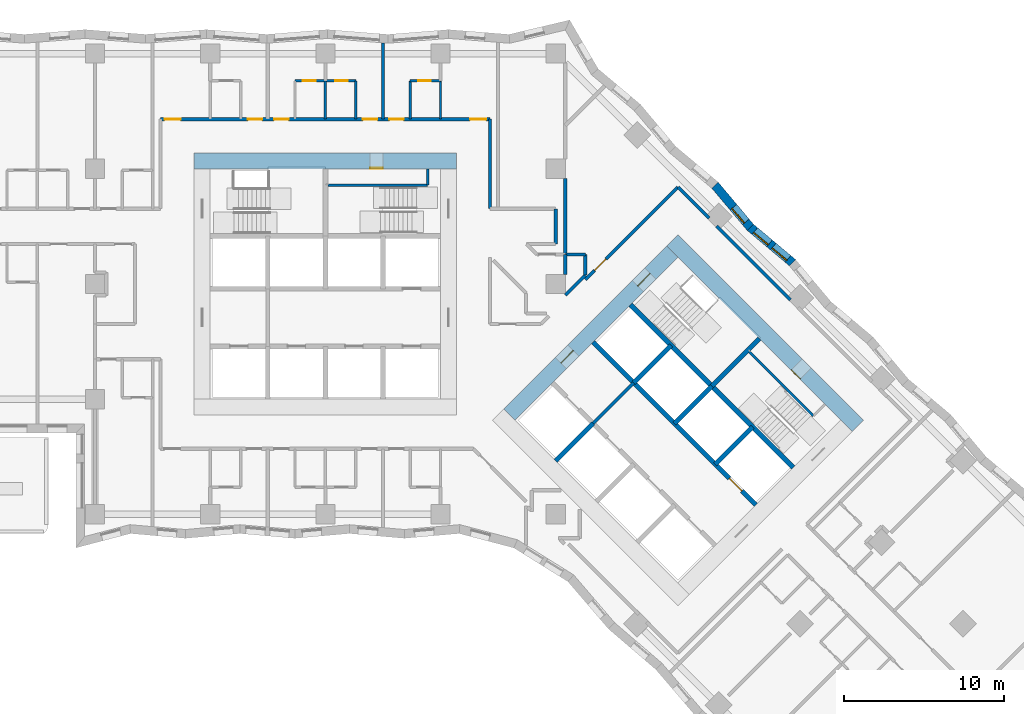
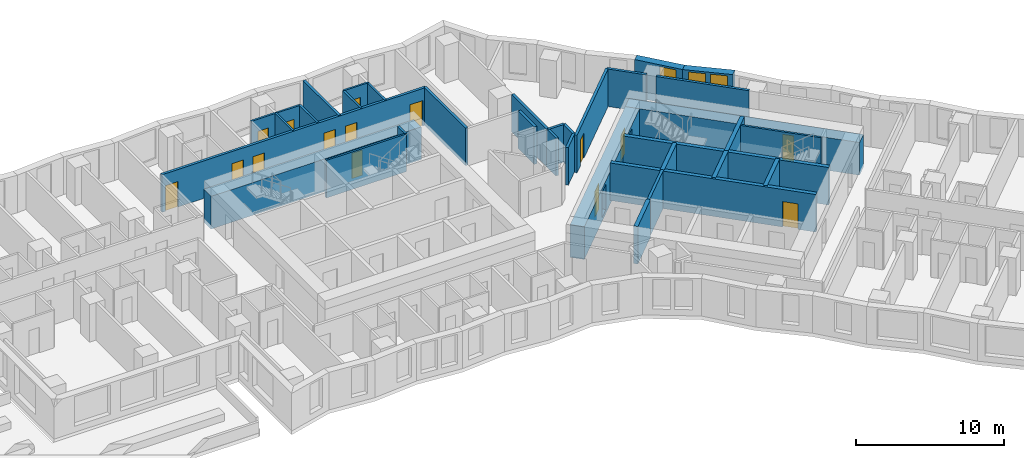
# One storey, part 11 of 15: 35 walls, 15 doors, 3 windows, 18 openings.
"""IFC4 building model written with IfcOpenShell, lengths in metres."""

from ifc_helpers import new_model, si_unit, direction, frame, frame_2d, origin, place, context, subcontext, project, spatial, polyline, rectangle, outline, extrude, material, layer, layer_set, type_object, element, fill, save


model = new_model("IFC4")

# Units and contexts
model_context = context("Model", 3, precision=1e-05, world=origin(), true_north=direction((0.0, 1.0)))
body_context = subcontext(model_context, "Body", "Model", "MODEL_VIEW")
ifc_project = project(units=[si_unit("LENGTHUNIT", "METRE"), si_unit("AREAUNIT", "SQUARE_METRE"), si_unit("VOLUMEUNIT", "CUBIC_METRE"), si_unit("PLANEANGLEUNIT", "RADIAN"), si_unit("MASSUNIT", "GRAM", prefix="KILO")], contexts=[model_context])

# Site, building, storey
site_placement = place(None, origin())
site = spatial("IfcSite", under=ifc_project, at=site_placement, CompositionType="ELEMENT")
building_placement = place(site_placement, origin())
building = spatial("IfcBuilding", under=site, at=building_placement, Name="Windrow Commons", CompositionType="ELEMENT")
storey_placement = place(building_placement, frame((0.0, 0.0, 27.0)))
storey = spatial("IfcBuildingStorey", under=building, at=storey_placement, Name="L06", CompositionType="ELEMENT", Elevation=27.0)

# Wall, openings, windows
ifc_material_1 = material(Name="Brick masonry, red clay brick", Category="masonry")
ifc_layer_1 = layer(ifc_material_1, 0.55)
ifc_layer_set_1 = layer_set([ifc_layer_1], Name="Brick facade wall 550")
wall_type_1 = type_object("IfcWallType", Name="Brick facade wall 550", PredefinedType="SOLIDWALL", material=ifc_layer_set_1)
wall_1_placement = place(storey_placement, frame((94.0, 58.931, 0.0), z_axis=(0.0, 0.0, 1.0), x_axis=(-0.7660429609, 0.6427893761, 0.0)))
wall_1 = element("IfcWall", 1, at=wall_1_placement, inside=storey, type_object=wall_type_1, Name="Brick facade wall L06 17", PredefinedType="SOLIDWALL", context=body_context, shape_type="SweptSolid", body=[
    extrude(outline(polyline([(-0.0241, -0.275), (3.4184, -0.275), (3.4665, 0.275), (0.0241, 0.275), (-0.0241, -0.275)])), origin(), (0.0, 0.0, 1.0), 3.1),
])
opening_1_placement = place(wall_1_placement, frame((0.3685, 0.0, 0.5)))
opening_1 = element("IfcOpeningElement", 2, at=opening_1_placement, cuts=wall_1, Name="Opening W7D", PredefinedType="OPENING", context=body_context, shape_type="SweptSolid", body=[
    extrude(rectangle(XDim=1.2, YDim=2.45, at=frame_2d((0.6, 1.225))), frame((0.0, 0.285, 0.0), z_axis=(0.0, -1.0, 0.0), x_axis=(1.0, 0.0, 0.0)), (0.0, 0.0, 1.0), 0.57),
])
opening_2_placement = place(wall_1_placement, frame((1.8777, 0.0, 0.5)))
opening_2 = element("IfcOpeningElement", 3, at=opening_2_placement, cuts=wall_1, Name="Opening W7D", PredefinedType="OPENING", context=body_context, shape_type="SweptSolid", body=[
    extrude(rectangle(XDim=1.2, YDim=2.45, at=frame_2d((0.6, 1.225))), frame((0.0, 0.285, 0.0), z_axis=(0.0, -1.0, 0.0), x_axis=(1.0, 0.0, 0.0)), (0.0, 0.0, 1.0), 0.57),
])
ifc_material_2 = material(Name="Clear float glass in anodised aluminium frame", Category="aluminium")
window_type = type_object("IfcWindowType", Name="Window W7 notch 1200x2450", PartitioningType="SINGLE_PANEL", PredefinedType="WINDOW", material=ifc_material_2)
window_1_placement = place(opening_1_placement, origin())
window_1 = element("IfcWindow", 4, at=window_1_placement, inside=storey, type_object=window_type, Name="Window L06 17.1", OverallHeight=2.45, OverallWidth=1.2, PartitioningType="SINGLE_PANEL", PredefinedType="WINDOW", context=body_context, shape_type="SweptSolid", body=[
    extrude(rectangle(XDim=1.2, YDim=2.45, at=frame_2d((0.6, 1.225))), frame((0.0, 0.155, 0.0), z_axis=(0.0, -1.0, 0.0), x_axis=(1.0, 0.0, 0.0)), (0.0, 0.0, 1.0), 0.06),
])
fill(opening_1, window_1)
window_2_placement = place(opening_2_placement, origin())
window_2 = element("IfcWindow", 5, at=window_2_placement, inside=storey, type_object=window_type, Name="Window L06 17.2", OverallHeight=2.45, OverallWidth=1.2, PartitioningType="SINGLE_PANEL", PredefinedType="WINDOW", context=body_context, shape_type="SweptSolid", body=[
    extrude(rectangle(XDim=1.2, YDim=2.45, at=frame_2d((0.6, 1.225))), frame((0.0, 0.155, 0.0), z_axis=(0.0, -1.0, 0.0), x_axis=(1.0, 0.0, 0.0)), (0.0, 0.0, 1.0), 0.06),
])
fill(opening_2, window_2)

# Wall, opening, window
wall_2_placement = place(storey_placement, frame((91.3629, 61.1438, 0.0), z_axis=(0.0, 0.0, 1.0), x_axis=(-0.6428036801, 0.7660309582, 0.0)))
wall_2 = element("IfcWall", 6, at=wall_2_placement, inside=storey, type_object=wall_type_1, Name="Brick facade wall L06 18", PredefinedType="SOLIDWALL", context=body_context, shape_type="SweptSolid", body=[
    extrude(outline(polyline([(0.0241, -0.275), (3.4665, -0.275), (3.4184, 0.275), (-0.0241, 0.275), (0.0241, -0.275)])), origin(), (0.0, 0.0, 1.0), 3.1),
])
opening_3_placement = place(wall_2_placement, frame((0.4421, 0.0, 0.5)))
opening_3 = element("IfcOpeningElement", 7, at=opening_3_placement, cuts=wall_2, Name="Opening W7D", PredefinedType="OPENING", context=body_context, shape_type="SweptSolid", body=[
    extrude(rectangle(XDim=1.2, YDim=2.45, at=frame_2d((0.6, 1.225))), frame((0.0, 0.285, 0.0), z_axis=(0.0, -1.0, 0.0), x_axis=(1.0, 0.0, 0.0)), (0.0, 0.0, 1.0), 0.57),
])
window_3_placement = place(opening_3_placement, origin())
window_3 = element("IfcWindow", 8, at=window_3_placement, inside=storey, type_object=window_type, Name="Window L06 18.1", OverallHeight=2.45, OverallWidth=1.2, PartitioningType="SINGLE_PANEL", PredefinedType="WINDOW", context=body_context, shape_type="SweptSolid", body=[
    extrude(rectangle(XDim=1.2, YDim=2.45, at=frame_2d((0.6, 1.225))), frame((0.0, 0.155, 0.0), z_axis=(0.0, -1.0, 0.0), x_axis=(1.0, 0.0, 0.0)), (0.0, 0.0, 1.0), 0.06),
])
fill(opening_3, window_3)

# Wall
ifc_material_3 = material(Name="Blockwork partition", Category="masonry")
ifc_layer_2 = layer(ifc_material_3, 0.2)
ifc_layer_set_2 = layer_set([ifc_layer_2], Name="Fire lobby partition 200")
wall_type_2 = type_object("IfcWallType", Name="Fire lobby partition 200", PredefinedType="PARTITIONING", material=ifc_layer_set_2)
wall_3_placement = place(storey_placement, frame((81.5335, 48.8776, 0.0), z_axis=(0.0, 0.0, 1.0), x_axis=(0.707092892, 0.7071206701, 0.0)))
element("IfcWall", 9, at=wall_3_placement, inside=storey, type_object=wall_type_2, Name="W-core-lobby-B-L06", PredefinedType="PARTITIONING", context=body_context, shape_type="SweptSolid", body=[
    extrude(rectangle(XDim=3.6, YDim=0.2, at=frame_2d((1.8, 0.0))), origin(), (0.0, 0.0, 1.0), 3.1),
])

# Wall, openings, doors
ifc_material_4 = material(Name="Blockwork partition", Category="masonry")
ifc_layer_3 = layer(ifc_material_4, 0.2)
ifc_layer_set_3 = layer_set([ifc_layer_3], Name="IW-CORRIDOR-200")
wall_type_3 = type_object("IfcWallType", Name="IW-CORRIDOR-200", PredefinedType="PARTITIONING", material=ifc_layer_set_3)
wall_4_placement = place(storey_placement, frame((54.5, 67.9, 0.0), z_axis=(0.0, 0.0, 1.0), x_axis=(1.0, 0.0, 0.0)))
wall_4 = element("IfcWall", 10, at=wall_4_placement, inside=storey, type_object=wall_type_3, Name="W-L06-W002", PredefinedType="PARTITIONING", context=body_context, shape_type="SweptSolid", body=[
    extrude(rectangle(XDim=20.6, YDim=0.2, at=frame_2d((10.3, 0.0))), origin(), (0.0, 0.0, 1.0), 3.1),
])
opening_4_placement = place(wall_4_placement, frame((0.2548, 0.0, 0.0)))
opening_4 = element("IfcOpeningElement", 11, at=opening_4_placement, cuts=wall_4, Name="Opening D310F", PredefinedType="OPENING", context=body_context, shape_type="SweptSolid", body=[
    extrude(rectangle(XDim=1.0, YDim=2.1, at=frame_2d((0.5, 1.05))), frame((0.0, 0.11, 0.0), z_axis=(0.0, -1.0, 0.0), x_axis=(1.0, 0.0, 0.0)), (0.0, 0.0, 1.0), 0.22),
])
opening_5_placement = place(wall_4_placement, frame((19.3452, 0.0, 0.0)))
opening_5 = element("IfcOpeningElement", 12, at=opening_5_placement, cuts=wall_4, Name="Opening D310F", PredefinedType="OPENING", context=body_context, shape_type="SweptSolid", body=[
    extrude(rectangle(XDim=1.0, YDim=2.1, at=frame_2d((0.5, 1.05))), frame((0.0, 0.11, 0.0), z_axis=(0.0, -1.0, 0.0), x_axis=(1.0, 0.0, 0.0)), (0.0, 0.0, 1.0), 0.22),
])
opening_6_placement = place(wall_4_placement, frame((5.45, 0.0, 0.0)))
opening_6 = element("IfcOpeningElement", 13, at=opening_6_placement, cuts=wall_4, Name="Opening D109S", PredefinedType="OPENING", context=body_context, shape_type="SweptSolid", body=[
    extrude(rectangle(XDim=0.9, YDim=2.1, at=frame_2d((0.45, 1.05))), frame((0.0, 0.11, 0.0), z_axis=(0.0, -1.0, 0.0), x_axis=(1.0, 0.0, 0.0)), (0.0, 0.0, 1.0), 0.22),
])
opening_7_placement = place(wall_4_placement, frame((7.1, 0.0, 0.0)))
opening_7 = element("IfcOpeningElement", 14, at=opening_7_placement, cuts=wall_4, Name="Opening D109S", PredefinedType="OPENING", context=body_context, shape_type="SweptSolid", body=[
    extrude(rectangle(XDim=0.9, YDim=2.1, at=frame_2d((0.45, 1.05))), frame((0.0, 0.11, 0.0), z_axis=(0.0, -1.0, 0.0), x_axis=(1.0, 0.0, 0.0)), (0.0, 0.0, 1.0), 0.22),
])
opening_8_placement = place(wall_4_placement, frame((12.65, 0.0, 0.0)))
opening_8 = element("IfcOpeningElement", 15, at=opening_8_placement, cuts=wall_4, Name="Opening D109S", PredefinedType="OPENING", context=body_context, shape_type="SweptSolid", body=[
    extrude(rectangle(XDim=0.9, YDim=2.1, at=frame_2d((0.45, 1.05))), frame((0.0, 0.11, 0.0), z_axis=(0.0, -1.0, 0.0), x_axis=(1.0, 0.0, 0.0)), (0.0, 0.0, 1.0), 0.22),
])
opening_9_placement = place(wall_4_placement, frame((14.3, 0.0, 0.0)))
opening_9 = element("IfcOpeningElement", 16, at=opening_9_placement, cuts=wall_4, Name="Opening D109S", PredefinedType="OPENING", context=body_context, shape_type="SweptSolid", body=[
    extrude(rectangle(XDim=0.9, YDim=2.1, at=frame_2d((0.45, 1.05))), frame((0.0, 0.11, 0.0), z_axis=(0.0, -1.0, 0.0), x_axis=(1.0, 0.0, 0.0)), (0.0, 0.0, 1.0), 0.22),
])
ifc_material_5 = material(Name="Timber door leaf", Category="wood")
door_type_1 = type_object("IfcDoorType", Name="DT-AMENITY-1000", OperationType="SINGLE_SWING_LEFT", PredefinedType="DOOR", material=ifc_material_5)
door_1_placement = place(opening_4_placement, origin())
door_1 = element("IfcDoor", 17, at=door_1_placement, inside=storey, type_object=door_type_1, Name="D-L06-D024", OperationType="SINGLE_SWING_LEFT", OverallHeight=2.1, OverallWidth=1.0, PredefinedType="DOOR", context=body_context, shape_type="SweptSolid", body=[
    extrude(rectangle(XDim=1.0, YDim=2.1, at=frame_2d((0.5, 1.05))), frame((0.0, 0.025, 0.0), z_axis=(0.0, -1.0, 0.0), x_axis=(1.0, 0.0, 0.0)), (0.0, 0.0, 1.0), 0.05),
])
fill(opening_4, door_1)
door_2_placement = place(opening_5_placement, origin())
door_2 = element("IfcDoor", 18, at=door_2_placement, inside=storey, type_object=door_type_1, Name="D-L06-D025", OperationType="SINGLE_SWING_RIGHT", OverallHeight=2.1, OverallWidth=1.0, PredefinedType="DOOR", context=body_context, shape_type="SweptSolid", body=[
    extrude(rectangle(XDim=1.0, YDim=2.1, at=frame_2d((0.5, 1.05))), frame((0.0, 0.025, 0.0), z_axis=(0.0, -1.0, 0.0), x_axis=(1.0, 0.0, 0.0)), (0.0, 0.0, 1.0), 0.05),
])
fill(opening_5, door_2)
ifc_material_6 = material(Name="Timber door leaf", Category="wood")
door_type_2 = type_object("IfcDoorType", Name="DT-BEDROOM-900", OperationType="SINGLE_SWING_LEFT", PredefinedType="DOOR", material=ifc_material_6)
door_3_placement = place(opening_6_placement, origin())
door_3 = element("IfcDoor", 19, at=door_3_placement, inside=storey, type_object=door_type_2, Name="D-L06-D031", OperationType="SINGLE_SWING_RIGHT", OverallHeight=2.1, OverallWidth=0.9, PredefinedType="DOOR", context=body_context, shape_type="SweptSolid", body=[
    extrude(rectangle(XDim=0.9, YDim=2.1, at=frame_2d((0.45, 1.05))), frame((0.0, 0.025, 0.0), z_axis=(0.0, -1.0, 0.0), x_axis=(1.0, 0.0, 0.0)), (0.0, 0.0, 1.0), 0.05),
])
fill(opening_6, door_3)
door_4_placement = place(opening_7_placement, origin())
door_4 = element("IfcDoor", 20, at=door_4_placement, inside=storey, type_object=door_type_2, Name="D-L06-D033", OperationType="SINGLE_SWING_LEFT", OverallHeight=2.1, OverallWidth=0.9, PredefinedType="DOOR", context=body_context, shape_type="SweptSolid", body=[
    extrude(rectangle(XDim=0.9, YDim=2.1, at=frame_2d((0.45, 1.05))), frame((0.0, 0.025, 0.0), z_axis=(0.0, -1.0, 0.0), x_axis=(1.0, 0.0, 0.0)), (0.0, 0.0, 1.0), 0.05),
])
fill(opening_7, door_4)
door_5_placement = place(opening_8_placement, origin())
door_5 = element("IfcDoor", 21, at=door_5_placement, inside=storey, type_object=door_type_2, Name="D-L06-D035", OperationType="SINGLE_SWING_RIGHT", OverallHeight=2.1, OverallWidth=0.9, PredefinedType="DOOR", context=body_context, shape_type="SweptSolid", body=[
    extrude(rectangle(XDim=0.9, YDim=2.1, at=frame_2d((0.45, 1.05))), frame((0.0, 0.025, 0.0), z_axis=(0.0, -1.0, 0.0), x_axis=(1.0, 0.0, 0.0)), (0.0, 0.0, 1.0), 0.05),
])
fill(opening_8, door_5)
door_6_placement = place(opening_9_placement, origin())
door_6 = element("IfcDoor", 22, at=door_6_placement, inside=storey, type_object=door_type_2, Name="D-L06-D037", OperationType="SINGLE_SWING_LEFT", OverallHeight=2.1, OverallWidth=0.9, PredefinedType="DOOR", context=body_context, shape_type="SweptSolid", body=[
    extrude(rectangle(XDim=0.9, YDim=2.1, at=frame_2d((0.45, 1.05))), frame((0.0, 0.025, 0.0), z_axis=(0.0, -1.0, 0.0), x_axis=(1.0, 0.0, 0.0)), (0.0, 0.0, 1.0), 0.05),
])
fill(opening_9, door_6)

# Wall, opening, door
wall_5_placement = place(storey_placement, frame((81.0515, 57.8725, 0.0), z_axis=(0.0, 0.0, 1.0), x_axis=(0.7071067812, 0.7071067812, 0.0)))
wall_5 = element("IfcWall", 23, at=wall_5_placement, inside=storey, type_object=wall_type_3, Name="W-L06-W012", PredefinedType="PARTITIONING", context=body_context, shape_type="SweptSolid", body=[
    extrude(rectangle(XDim=8.1798, YDim=0.2, at=frame_2d((4.0899, 0.0))), origin(), (0.0, 0.0, 1.0), 3.1),
])
opening_10_placement = place(wall_5_placement, frame((0.8234, 0.0, 0.0)))
opening_10 = element("IfcOpeningElement", 24, at=opening_10_placement, cuts=wall_5, Name="Opening D310F", PredefinedType="OPENING", context=body_context, shape_type="SweptSolid", body=[
    extrude(rectangle(XDim=1.0, YDim=2.1, at=frame_2d((0.5, 1.05))), frame((0.0, 0.11, 0.0), z_axis=(0.0, -1.0, 0.0), x_axis=(1.0, 0.0, 0.0)), (0.0, 0.0, 1.0), 0.22),
])
door_7_placement = place(opening_10_placement, origin())
door_7 = element("IfcDoor", 25, at=door_7_placement, inside=storey, type_object=door_type_1, Name="D-L06-D049", OperationType="SINGLE_SWING_RIGHT", OverallHeight=2.1, OverallWidth=1.0, PredefinedType="DOOR", context=body_context, shape_type="SweptSolid", body=[
    extrude(rectangle(XDim=1.0, YDim=2.1, at=frame_2d((0.5, 1.05))), frame((0.0, 0.025, 0.0), z_axis=(0.0, -1.0, 0.0), x_axis=(1.0, 0.0, 0.0)), (0.0, 0.0, 1.0), 0.05),
])
fill(opening_10, door_7)

# Walls
wall_6_placement = place(storey_placement, frame((89.2712, 61.2152, 0.0), z_axis=(0.0, 0.0, 1.0), x_axis=(0.7071067812, -0.7071067812, 0.0)))
element("IfcWall", 26, at=wall_6_placement, inside=storey, type_object=wall_type_3, Name="W-L06-W025", PredefinedType="PARTITIONING", context=body_context, shape_type="SweptSolid", body=[
    extrude(rectangle(XDim=6.5054, YDim=0.2, at=frame_2d((3.2527, 0.0))), origin(), (0.0, 0.0, 1.0), 3.1),
])
wall_7_placement = place(storey_placement, frame((75.1, 62.302, 0.0), z_axis=(0.0, 0.0, 1.0), x_axis=(0.0, 1.0, 0.0)))
element("IfcWall", 27, at=wall_7_placement, inside=storey, type_object=wall_type_3, Name="W-L06-W040", PredefinedType="PARTITIONING", context=body_context, shape_type="SweptSolid", body=[
    extrude(rectangle(XDim=5.598, YDim=0.2, at=frame_2d((2.799, 0.0))), origin(), (0.0, 0.0, 1.0), 3.1),
])
wall_8_placement = place(storey_placement, frame((86.8413, 63.6593, 0.0), z_axis=(0.0, 0.0, 1.0), x_axis=(0.7067795096, -0.7074339014, 0.0)))
element("IfcWall", 28, at=wall_8_placement, inside=storey, type_object=wall_type_3, Name="W-L06-W072", PredefinedType="PARTITIONING", context=body_context, shape_type="SweptSolid", body=[
    extrude(rectangle(XDim=2.7506, YDim=0.2, at=frame_2d((1.3753, 0.0))), origin(), (0.0, 0.0, 1.0), 3.1),
])
wall_9_placement = place(storey_placement, frame((79.2, 60.102, 0.0), z_axis=(0.0, 0.0, 1.0), x_axis=(0.0, 1.0, 0.0)))
element("IfcWall", 29, at=wall_9_placement, inside=storey, type_object=wall_type_3, Name="W-L06-W130", PredefinedType="PARTITIONING", context=body_context, shape_type="SweptSolid", body=[
    extrude(rectangle(XDim=2.198, YDim=0.2, at=frame_2d((1.099, 0.0))), origin(), (0.0, 0.0, 1.0), 3.1),
])
wall_10_placement = place(storey_placement, frame((79.8011, 56.9049, 0.0), z_axis=(0.0, 0.0, 1.0), x_axis=(0.7071067812, 0.7071067812, 0.0)))
element("IfcWall", 30, at=wall_10_placement, inside=storey, type_object=wall_type_3, Name="W-L06-W163", PredefinedType="PARTITIONING", context=body_context, shape_type="SweptSolid", body=[
    extrude(rectangle(XDim=1.7649, YDim=0.2, at=frame_2d((0.8824, 0.0))), origin(), (0.0, 0.0, 1.0), 3.1),
])
wall_11_placement = place(storey_placement, frame((79.8, 58.2, 0.0), z_axis=(0.0, 0.0, 1.0), x_axis=(0.0, 1.0, 0.0)))
element("IfcWall", 31, at=wall_11_placement, inside=storey, type_object=wall_type_3, Name="W-L06-W179", PredefinedType="PARTITIONING", context=body_context, shape_type="SweptSolid", body=[
    extrude(rectangle(XDim=1.25, YDim=0.2, at=frame_2d((0.625, 0.0))), origin(), (0.0, 0.0, 1.0), 3.1),
])

# Wall, openings, doors
ifc_material_7 = material(Name="Blockwork partition", Category="masonry")
ifc_layer_4 = layer(ifc_material_7, 0.15)
ifc_layer_set_4 = layer_set([ifc_layer_4], Name="IW-ENSUITE-150")
wall_type_4 = type_object("IfcWallType", Name="IW-ENSUITE-150", PredefinedType="PARTITIONING", material=ifc_layer_set_4)
wall_12_placement = place(storey_placement, frame((62.9, 70.3, 0.0), z_axis=(0.0, 0.0, 1.0), x_axis=(1.0, 0.0, 0.0)))
wall_12 = element("IfcWall", 32, at=wall_12_placement, inside=storey, type_object=wall_type_4, Name="W-L06-W062", PredefinedType="PARTITIONING", context=body_context, shape_type="SweptSolid", body=[
    extrude(rectangle(XDim=3.8, YDim=0.15, at=frame_2d((1.9, 0.0))), origin(), (0.0, 0.0, 1.0), 3.1),
])
opening_11_placement = place(wall_12_placement, frame((0.4931, 0.0, 0.0)))
opening_11 = element("IfcOpeningElement", 33, at=opening_11_placement, cuts=wall_12, Name="Opening D208N", PredefinedType="OPENING", context=body_context, shape_type="SweptSolid", body=[
    extrude(rectangle(XDim=0.8, YDim=2.1, at=frame_2d((0.4, 1.05))), frame((0.0, 0.085, 0.0), z_axis=(0.0, -1.0, 0.0), x_axis=(1.0, 0.0, 0.0)), (0.0, 0.0, 1.0), 0.17),
])
opening_12_placement = place(wall_12_placement, frame((2.5069, 0.0, 0.0)))
opening_12 = element("IfcOpeningElement", 34, at=opening_12_placement, cuts=wall_12, Name="Opening D208N", PredefinedType="OPENING", context=body_context, shape_type="SweptSolid", body=[
    extrude(rectangle(XDim=0.8, YDim=2.1, at=frame_2d((0.4, 1.05))), frame((0.0, 0.085, 0.0), z_axis=(0.0, -1.0, 0.0), x_axis=(1.0, 0.0, 0.0)), (0.0, 0.0, 1.0), 0.17),
])
ifc_material_8 = material(Name="Timber door leaf", Category="wood")
door_type_3 = type_object("IfcDoorType", Name="DT-ENSUITE-800", OperationType="SINGLE_SWING_LEFT", PredefinedType="DOOR", material=ifc_material_8)
door_8_placement = place(opening_11_placement, origin())
door_8 = element("IfcDoor", 35, at=door_8_placement, inside=storey, type_object=door_type_3, Name="D-L06-D034", OperationType="SINGLE_SWING_RIGHT", OverallHeight=2.1, OverallWidth=0.8, PredefinedType="DOOR", context=body_context, shape_type="SweptSolid", body=[
    extrude(rectangle(XDim=0.8, YDim=2.1, at=frame_2d((0.4, 1.05))), frame((0.0, 0.025, 0.0), z_axis=(0.0, -1.0, 0.0), x_axis=(1.0, 0.0, 0.0)), (0.0, 0.0, 1.0), 0.05),
])
fill(opening_11, door_8)
door_9_placement = place(opening_12_placement, origin())
door_9 = element("IfcDoor", 36, at=door_9_placement, inside=storey, type_object=door_type_3, Name="D-L06-D036", OperationType="SINGLE_SWING_RIGHT", OverallHeight=2.1, OverallWidth=0.8, PredefinedType="DOOR", context=body_context, shape_type="SweptSolid", body=[
    extrude(rectangle(XDim=0.8, YDim=2.1, at=frame_2d((0.4, 1.05))), frame((0.0, 0.025, 0.0), z_axis=(0.0, -1.0, 0.0), x_axis=(1.0, 0.0, 0.0)), (0.0, 0.0, 1.0), 0.05),
])
fill(opening_12, door_9)

# Walls
for number, where, z_axis, x_axis, name in (
    (37, (66.7, 67.9, 0.0), (0.0, 0.0, 1.0), (0.0, 1.0, 0.0), "W-L06-W111"),
    (38, (64.8, 67.9, 0.0), (0.0, 0.0, 1.0), (0.0, 1.0, 0.0), "W-L06-W112"),
    (39, (70.1, 67.9, 0.0), (0.0, 0.0, 1.0), (0.0, 1.0, 0.0), "W-L06-W113"),
    (40, (72.0, 67.9, 0.0), (0.0, 0.0, 1.0), (0.0, 1.0, 0.0), "W-L06-W114"),
):
    element("IfcWall", number, at=place(storey_placement, frame(where, z_axis=z_axis, x_axis=x_axis)), inside=storey, type_object=wall_type_4, Name=name, PredefinedType="PARTITIONING", context=body_context, shape_type="SweptSolid", body=[
        extrude(rectangle(XDim=2.4, YDim=0.15, at=frame_2d((1.2, 0.0))), origin(), (0.0, 0.0, 1.0), 3.1),
    ])

# Wall, opening, door
wall_13_placement = place(storey_placement, frame((70.1, 70.3, 0.0), z_axis=(0.0, 0.0, 1.0), x_axis=(1.0, 0.0, 0.0)))
wall_13 = element("IfcWall", 41, at=wall_13_placement, inside=storey, type_object=wall_type_4, Name="W-L06-W144", PredefinedType="PARTITIONING", context=body_context, shape_type="SweptSolid", body=[
    extrude(rectangle(XDim=1.9, YDim=0.15, at=frame_2d((0.95, 0.0))), origin(), (0.0, 0.0, 1.0), 3.1),
])
opening_13_placement = place(wall_13_placement, frame((0.4931, 0.0, 0.0)))
opening_13 = element("IfcOpeningElement", 42, at=opening_13_placement, cuts=wall_13, Name="Opening D208N", PredefinedType="OPENING", context=body_context, shape_type="SweptSolid", body=[
    extrude(rectangle(XDim=0.8, YDim=2.1, at=frame_2d((0.4, 1.05))), frame((0.0, 0.085, 0.0), z_axis=(0.0, -1.0, 0.0), x_axis=(1.0, 0.0, 0.0)), (0.0, 0.0, 1.0), 0.17),
])
door_10_placement = place(opening_13_placement, origin())
door_10 = element("IfcDoor", 43, at=door_10_placement, inside=storey, type_object=door_type_3, Name="D-L06-D038", OperationType="SINGLE_SWING_RIGHT", OverallHeight=2.1, OverallWidth=0.8, PredefinedType="DOOR", context=body_context, shape_type="SweptSolid", body=[
    extrude(rectangle(XDim=0.8, YDim=2.1, at=frame_2d((0.4, 1.05))), frame((0.0, 0.025, 0.0), z_axis=(0.0, -1.0, 0.0), x_axis=(1.0, 0.0, 0.0)), (0.0, 0.0, 1.0), 0.05),
])
fill(opening_13, door_10)

# Walls
ifc_material_9 = material(Name="Blockwork partition", Category="masonry")
ifc_layer_5 = layer(ifc_material_9, 0.2)
ifc_layer_set_5 = layer_set([ifc_layer_5], Name="IW-PARTY-200")
wall_type_5 = type_object("IfcWallType", Name="IW-PARTY-200", PredefinedType="PARTITIONING", material=ifc_layer_set_5)
wall_14_placement = place(storey_placement, frame((79.8, 59.45, 0.0), z_axis=(0.0, 0.0, 1.0), x_axis=(0.0, 1.0, 0.0)))
element("IfcWall", 44, at=wall_14_placement, inside=storey, type_object=wall_type_5, Name="W-L06-W052", PredefinedType="PARTITIONING", context=body_context, shape_type="SweptSolid", body=[
    extrude(rectangle(XDim=4.75, YDim=0.2, at=frame_2d((2.375, 0.0))), origin(), (0.0, 0.0, 1.0), 3.1),
])
wall_15_placement = place(storey_placement, frame((68.4, 67.9, 0.0), z_axis=(0.0, 0.0, 1.0), x_axis=(0.0, 1.0, 0.0)))
element("IfcWall", 45, at=wall_15_placement, inside=storey, type_object=wall_type_5, Name="W-L06-W053", PredefinedType="PARTITIONING", context=body_context, shape_type="SweptSolid", body=[
    extrude(rectangle(XDim=4.7731, YDim=0.2, at=frame_2d((2.3866, 0.0))), origin(), (0.0, 0.0, 1.0), 3.1),
])
wall_16_placement = place(storey_placement, frame((81.05, 58.152, 0.0), z_axis=(0.0, 0.0, 1.0), x_axis=(0.0, 1.0, 0.0)))
element("IfcWall", 46, at=wall_16_placement, inside=storey, type_object=wall_type_5, Name="W-L06-W176", PredefinedType="PARTITIONING", context=body_context, shape_type="SweptSolid", body=[
    extrude(rectangle(XDim=1.296, YDim=0.2, at=frame_2d((0.648, 0.0))), origin(), (0.0, 0.0, 1.0), 3.1),
])
wall_17_placement = place(storey_placement, frame((79.8, 59.45, 0.0), z_axis=(0.0, 0.0, 1.0), x_axis=(1.0, 0.0, 0.0)))
element("IfcWall", 47, at=wall_17_placement, inside=storey, type_object=wall_type_5, Name="W-L06-W180", PredefinedType="PARTITIONING", context=body_context, shape_type="SweptSolid", body=[
    extrude(rectangle(XDim=1.248, YDim=0.2, at=frame_2d((0.624, 0.0))), origin(), (0.0, 0.0, 1.0), 3.1),
])

# Wall, opening, door
ifc_material_10 = material(Name="Concrete C60/75", Category="concrete")
ifc_layer_6 = layer(ifc_material_10, 1.0)
ifc_layer_set_6 = layer_set([ifc_layer_6], Name="RC CORE WALL 1000 C60/75")
wall_type_6 = type_object("IfcWallType", Name="RC CORE WALL 1000 C60/75", PredefinedType="SHEAR", material=ifc_layer_set_6)
wall_18_placement = place(storey_placement, frame((56.6, 65.3, -0.3), z_axis=(0.0, 0.0, 1.0), x_axis=(1.0, 0.0, 0.0)))
wall_18 = element("IfcWall", 48, at=wall_18_placement, inside=storey, type_object=wall_type_6, Name="Core A wall outer-N", PredefinedType="SHEAR", context=body_context, shape_type="SweptSolid", body=[
    extrude(rectangle(XDim=16.4, YDim=1.0, at=frame_2d((8.2, 0.0))), origin(), (0.0, 0.0, 1.0), 2.7),
])
opening_14_placement = place(wall_18_placement, frame((11.0, 0.0, 0.3)))
opening_14 = element("IfcOpeningElement", 49, at=opening_14_placement, cuts=wall_18, Name="Opening D9", PredefinedType="OPENING", context=body_context, shape_type="SweptSolid", body=[
    extrude(rectangle(XDim=0.8, YDim=2.1, at=frame_2d((0.4, 1.05))), frame((0.0, 0.51, 0.0), z_axis=(0.0, -1.0, 0.0), x_axis=(1.0, 0.0, 0.0)), (0.0, 0.0, 1.0), 1.02),
])
ifc_material_11 = material(Name="Steel fire door leaf", Category="steel")
door_type_4 = type_object("IfcDoorType", Name="Riser access door 800", OperationType="SINGLE_SWING_LEFT", PredefinedType="DOOR", material=ifc_material_11)
door_11_placement = place(opening_14_placement, origin())
door_11 = element("IfcDoor", 50, at=door_11_placement, inside=storey, type_object=door_type_4, Name="Riser access door", OperationType="SINGLE_SWING_RIGHT", OverallHeight=2.1, OverallWidth=0.8, PredefinedType="DOOR", context=body_context, shape_type="SweptSolid", body=[
    extrude(rectangle(XDim=0.8, YDim=2.1, at=frame_2d((0.4, 1.05))), frame((0.0, -0.44, 0.0), z_axis=(0.0, -1.0, 0.0), x_axis=(1.0, 0.0, 0.0)), (0.0, 0.0, 1.0), 0.05),
])
fill(opening_14, door_11)

wall_19_placement = place(storey_placement, frame((86.4832, 60.3327, -0.3), z_axis=(0.0, 0.0, 1.0), x_axis=(0.70710983, -0.7071037324, 0.0)))
wall_19 = element("IfcWall", 51, at=wall_19_placement, inside=storey, type_object=wall_type_6, Name="Core B wall outer-N", PredefinedType="SHEAR", context=body_context, shape_type="SweptSolid", body=[
    extrude(rectangle(XDim=16.4, YDim=1.0, at=frame_2d((8.2, 0.0))), origin(), (0.0, 0.0, 1.0), 2.7),
])
opening_15_placement = place(wall_19_placement, frame((11.0, 0.0, 0.3)))
opening_15 = element("IfcOpeningElement", 52, at=opening_15_placement, cuts=wall_19, Name="Opening D9", PredefinedType="OPENING", context=body_context, shape_type="SweptSolid", body=[
    extrude(rectangle(XDim=0.8, YDim=2.1, at=frame_2d((0.4, 1.05))), frame((0.0, 0.51, 0.0), z_axis=(0.0, -1.0, 0.0), x_axis=(1.0, 0.0, 0.0)), (0.0, 0.0, 1.0), 1.02),
])
door_12_placement = place(opening_15_placement, origin())
door_12 = element("IfcDoor", 53, at=door_12_placement, inside=storey, type_object=door_type_4, Name="Riser access door", OperationType="SINGLE_SWING_RIGHT", OverallHeight=2.1, OverallWidth=0.8, PredefinedType="DOOR", context=body_context, shape_type="SweptSolid", body=[
    extrude(rectangle(XDim=0.8, YDim=2.1, at=frame_2d((0.4, 1.05))), frame((0.0, -0.44, 0.0), z_axis=(0.0, -1.0, 0.0), x_axis=(1.0, 0.0, 0.0)), (0.0, 0.0, 1.0), 0.05),
])
fill(opening_15, door_12)

# Wall, openings, doors
wall_20_placement = place(storey_placement, frame((76.3009, 49.4433, -0.3), z_axis=(0.0, 0.0, 1.0), x_axis=(0.7071067812, 0.7071067812, 0.0)))
wall_20 = element("IfcWall", 54, at=wall_20_placement, inside=storey, type_object=wall_type_6, Name="Core B wall outer-W", PredefinedType="SHEAR", context=body_context, shape_type="SweptSolid", body=[
    extrude(rectangle(XDim=14.3999, YDim=1.0, at=frame_2d((7.2, 0.0))), origin(), (0.0, 0.0, 1.0), 2.7),
])
opening_16_placement = place(wall_20_placement, frame((4.55, 0.0, 0.3)))
opening_16 = element("IfcOpeningElement", 55, at=opening_16_placement, cuts=wall_20, Name="Opening D6", PredefinedType="OPENING", context=body_context, shape_type="SweptSolid", body=[
    extrude(rectangle(XDim=1.1, YDim=2.1, at=frame_2d((0.55, 1.05))), frame((0.0, 0.51, 0.0), z_axis=(0.0, -1.0, 0.0), x_axis=(1.0, 0.0, 0.0)), (0.0, 0.0, 1.0), 1.02),
])
opening_17_placement = place(wall_20_placement, frame((11.35, 0.0, 0.3)))
opening_17 = element("IfcOpeningElement", 56, at=opening_17_placement, cuts=wall_20, Name="Opening D7", PredefinedType="OPENING", context=body_context, shape_type="SweptSolid", body=[
    extrude(rectangle(XDim=1.1, YDim=2.1, at=frame_2d((0.55, 1.05))), frame((0.0, 0.51, 0.0), z_axis=(0.0, -1.0, 0.0), x_axis=(1.0, 0.0, 0.0)), (0.0, 0.0, 1.0), 1.02),
])
ifc_material_12 = material(Name="Steel fire door leaf", Category="steel")
door_type_5 = type_object("IfcDoorType", Name="Core lobby door 1100", OperationType="SINGLE_SWING_LEFT", PredefinedType="DOOR", material=ifc_material_12)
door_13_placement = place(opening_16_placement, origin())
door_13 = element("IfcDoor", 57, at=door_13_placement, inside=storey, type_object=door_type_5, Name="Lift lobby door", OperationType="DOUBLE_DOOR_SINGLE_SWING", OverallHeight=2.1, OverallWidth=1.1, PredefinedType="DOOR", context=body_context, shape_type="SweptSolid", body=[
    extrude(rectangle(XDim=1.1, YDim=2.1, at=frame_2d((0.55, 1.05))), frame((0.0, 0.025, 0.0), z_axis=(0.0, -1.0, 0.0), x_axis=(1.0, 0.0, 0.0)), (0.0, 0.0, 1.0), 0.05),
])
fill(opening_16, door_13)
ifc_material_13 = material(Name="Steel fire door leaf", Category="steel")
door_type_6 = type_object("IfcDoorType", Name="Stair door 1100", OperationType="SINGLE_SWING_LEFT", PredefinedType="DOOR", material=ifc_material_13)
door_14_placement = place(opening_17_placement, origin())
door_14 = element("IfcDoor", 58, at=door_14_placement, inside=storey, type_object=door_type_6, Name="Stair door", OperationType="SINGLE_SWING_LEFT", OverallHeight=2.1, OverallWidth=1.1, PredefinedType="DOOR", context=body_context, shape_type="SweptSolid", body=[
    extrude(rectangle(XDim=1.1, YDim=2.1, at=frame_2d((0.55, 1.05))), frame((0.0, 0.025, 0.0), z_axis=(0.0, -1.0, 0.0), x_axis=(1.0, 0.0, 0.0)), (0.0, 0.0, 1.0), 0.05),
])
fill(opening_17, door_14)

# Walls
ifc_material_14 = material(Name="Concrete C60/75", Category="concrete")
ifc_layer_7 = layer(ifc_material_14, 0.3)
ifc_layer_set_7 = layer_set([ifc_layer_7], Name="RC SHAFT WALL 300 C60/75")
wall_type_7 = type_object("IfcWallType", Name="RC SHAFT WALL 300 C60/75", PredefinedType="SOLIDWALL", material=ifc_layer_set_7)
for number, where, z_axis, x_axis, name in (
    (59, (79.2, 46.5442, 0.0), (0.0, 0.0, 1.0), (0.7071219326, 0.7070916295, 0.0), "Core B wall shaft-S1"),
    (60, (84.079, 51.4232, 0.0), (0.0, 0.0, 1.0), (0.7071219326, 0.7070916295, 0.0), "Core B wall shaft-N1"),
):
    element("IfcWall", number, at=place(storey_placement, frame(where, z_axis=z_axis, x_axis=x_axis)), inside=storey, type_object=wall_type_7, Name=name, PredefinedType="SOLIDWALL", context=body_context, shape_type="SweptSolid", body=[
        extrude(rectangle(XDim=3.3, YDim=0.3, at=frame_2d((1.65, 0.0))), origin(), (0.0, 0.0, 1.0), 3.1),
    ])
for number, where, z_axis, x_axis, name in (
    (61, (86.6246, 48.8776, 0.0), (0.0, 0.0, 1.0), (0.7071067812, 0.7071067812, 0.0), "Core B wall shaft-N2"),
    (62, (89.1702, 46.332, 0.0), (0.0, 0.0, 1.0), (0.7071067812, 0.7071067812, 0.0), "Core B wall shaft-N3"),
):
    element("IfcWall", number, at=place(storey_placement, frame(where, z_axis=z_axis, x_axis=x_axis)), inside=storey, type_object=wall_type_7, Name=name, PredefinedType="SOLIDWALL", context=body_context, shape_type="SweptSolid", body=[
        extrude(rectangle(XDim=3.3001, YDim=0.3, at=frame_2d((1.6501, 0.0))), origin(), (0.0, 0.0, 1.0), 3.1),
    ])

# Wall, opening, door
wall_21_placement = place(storey_placement, frame((81.5335, 53.9688, 0.0), z_axis=(0.0, 0.0, 1.0), x_axis=(0.707103309, -0.7071102534, 0.0)))
wall_21 = element("IfcWall", 63, at=wall_21_placement, inside=storey, type_object=wall_type_7, Name="Core B wall lobby-N", PredefinedType="SOLIDWALL", context=body_context, shape_type="SweptSolid", body=[
    extrude(rectangle(XDim=14.4, YDim=0.3, at=frame_2d((7.2, 0.0))), origin(), (0.0, 0.0, 1.0), 3.1),
])
opening_18_placement = place(wall_21_placement, frame((12.05, 0.0, 0.0)))
opening_18 = element("IfcOpeningElement", 64, at=opening_18_placement, cuts=wall_21, Name="Opening LD", PredefinedType="OPENING", context=body_context, shape_type="SweptSolid", body=[
    extrude(rectangle(XDim=1.1, YDim=2.1, at=frame_2d((0.55, 1.05))), frame((0.0, 0.16, 0.0), z_axis=(0.0, -1.0, 0.0), x_axis=(1.0, 0.0, 0.0)), (0.0, 0.0, 1.0), 0.32),
])
ifc_material_15 = material(Name="Stainless steel door leaf", Category="steel")
door_type_7 = type_object("IfcDoorType", Name="Lift landing door 1100", OperationType="SLIDING_TO_LEFT", PredefinedType="DOOR", material=ifc_material_15)
door_15_placement = place(opening_18_placement, origin())
door_15 = element("IfcDoor", 65, at=door_15_placement, inside=storey, type_object=door_type_7, Name="Lift landing door", OperationType="SLIDING_TO_RIGHT", OverallHeight=2.1, OverallWidth=1.1, PredefinedType="DOOR", context=body_context, shape_type="SweptSolid", body=[
    extrude(rectangle(XDim=1.1, YDim=2.1, at=frame_2d((0.55, 1.05))), frame((0.0, 0.025, 0.0), z_axis=(0.0, -1.0, 0.0), x_axis=(1.0, 0.0, 0.0)), (0.0, 0.0, 1.0), 0.05),
])
fill(opening_18, door_15)

# Walls
for number, where, z_axis, x_axis, name in (
    (66, (83.8669, 56.3022, 0.0), (0.0, 0.0, 1.0), (0.7071137256, -0.7070998367, 0.0), "Core B wall stair-S"),
    (67, (88.9581, 51.2111, 0.0), (0.0, 0.0, 1.0), (0.7070998367, -0.7071137256, 0.0), "Core B wall stair-S2"),
):
    element("IfcWall", number, at=place(storey_placement, frame(where, z_axis=z_axis, x_axis=x_axis)), inside=storey, type_object=wall_type_7, Name=name, PredefinedType="SOLIDWALL", context=body_context, shape_type="SweptSolid", body=[
        extrude(rectangle(XDim=7.2, YDim=0.3, at=frame_2d((3.6, 0.0))), origin(), (0.0, 0.0, 1.0), 3.1),
    ])
wall_22_placement = place(storey_placement, frame((88.9581, 51.2111, 0.0), z_axis=(0.0, 0.0, 1.0), x_axis=(0.7071067812, 0.7071067812, 0.0)))
element("IfcWall", 68, at=wall_22_placement, inside=storey, type_object=wall_type_7, Name="Core B wall stair-mid", PredefinedType="SOLIDWALL", context=body_context, shape_type="SweptSolid", body=[
    extrude(rectangle(XDim=4.1999, YDim=0.3, at=frame_2d((2.1, 0.0))), origin(), (0.0, 0.0, 1.0), 3.1),
])
ifc_material_16 = material(Name="Blockwork partition", Category="masonry")
ifc_layer_8 = layer(ifc_material_16, 0.15)
ifc_layer_set_8 = layer_set([ifc_layer_8], Name="Riser partition 150")
wall_type_8 = type_object("IfcWallType", Name="Riser partition 150", PredefinedType="PARTITIONING", material=ifc_layer_set_8)
wall_23_placement = place(storey_placement, frame((64.95, 63.78, 0.0), z_axis=(0.0, 0.0, 1.0), x_axis=(1.0, 0.0, 0.0)))
element("IfcWall", 69, at=wall_23_placement, inside=storey, type_object=wall_type_8, Name="W-core-strip-A-L06", PredefinedType="PARTITIONING", context=body_context, shape_type="SweptSolid", body=[
    extrude(rectangle(XDim=6.25, YDim=0.15, at=frame_2d((3.125, 0.0))), origin(), (0.0, 0.0, 1.0), 3.1),
])
wall_24_placement = place(storey_placement, frame((71.2, 63.78, 0.0), z_axis=(0.0, 0.0, 1.0), x_axis=(0.0, 1.0, 0.0)))
element("IfcWall", 70, at=wall_24_placement, inside=storey, type_object=wall_type_8, Name="W-core-stripx-A-L06-1", PredefinedType="PARTITIONING", context=body_context, shape_type="SweptSolid", body=[
    extrude(rectangle(XDim=1.02, YDim=0.15, at=frame_2d((0.51, 0.0))), origin(), (0.0, 0.0, 1.0), 3.1),
])
wall_25_placement = place(storey_placement, frame((91.3127, 53.3536, 0.0), z_axis=(0.0, 0.0, 1.0), x_axis=(0.7071067812, -0.7071067812, 0.0)))
element("IfcWall", 71, at=wall_25_placement, inside=storey, type_object=wall_type_8, Name="W-core-strip-B-L06", PredefinedType="PARTITIONING", context=body_context, shape_type="SweptSolid", body=[
    extrude(rectangle(XDim=5.6501, YDim=0.15, at=frame_2d((2.8251, 0.0))), origin(), (0.0, 0.0, 1.0), 3.1),
])

save(model, "model.ifc")
